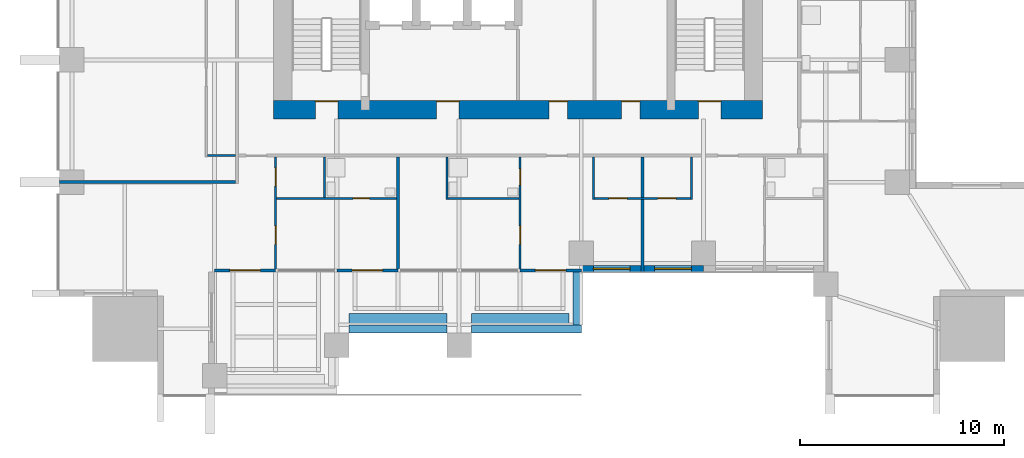
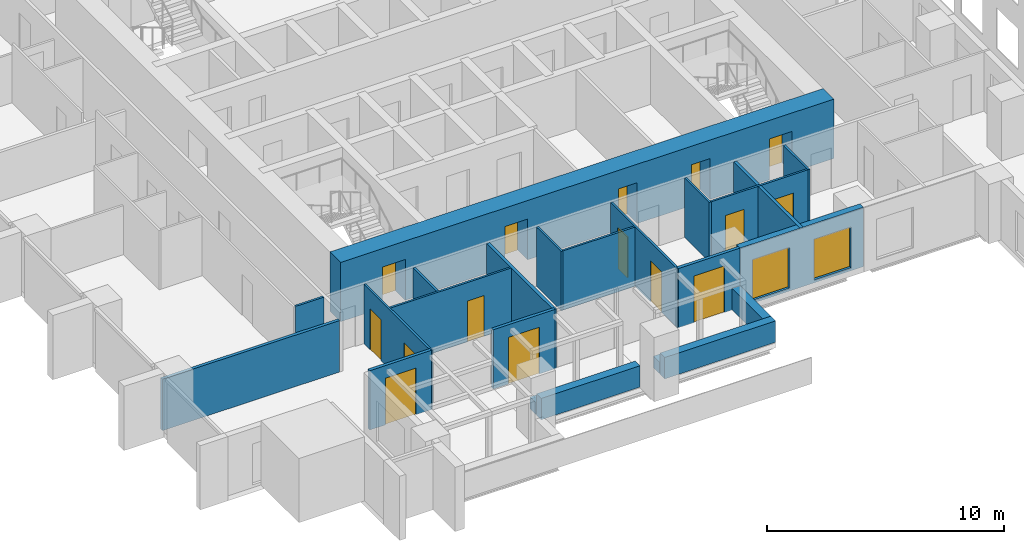
# One storey, part 7 of 15: 23 walls, 15 doors, 2 windows, 17 openings.
"""IFC4 building model written with IfcOpenShell, lengths in metres."""

from ifc_helpers import new_model, si_unit, direction, frame, frame_2d, origin, place, context, subcontext, project, spatial, rectangle, extrude, material, layer, layer_set, type_object, element, fill, save


model = new_model("IFC4")

# Units and contexts
model_context = context("Model", 3, precision=1e-05, world=origin(), true_north=direction((0.0, 1.0)))
body_context = subcontext(model_context, "Body", "Model", "MODEL_VIEW")
ifc_project = project(units=[si_unit("LENGTHUNIT", "METRE"), si_unit("AREAUNIT", "SQUARE_METRE"), si_unit("VOLUMEUNIT", "CUBIC_METRE"), si_unit("PLANEANGLEUNIT", "RADIAN"), si_unit("MASSUNIT", "GRAM", prefix="KILO")], contexts=[model_context])

# Site, building, storey
site_placement = place(None, origin())
site = spatial("IfcSite", under=ifc_project, at=site_placement, CompositionType="ELEMENT")
building_placement = place(site_placement, origin())
building = spatial("IfcBuilding", under=site, at=building_placement, Name="Amberfall Residences", CompositionType="ELEMENT")
storey_placement = place(building_placement, frame((0.0, 0.0, 53.199951171875)))
storey = spatial("IfcBuildingStorey", under=building, at=storey_placement, Name="L14", CompositionType="ELEMENT", Elevation=53.199951171875)

# Wall, openings, windows
ifc_material_1 = material(Name="Pale stone cladding on insulated backing", Category="masonry")
ifc_layer_1 = layer(ifc_material_1, 0.300048828125)
ifc_layer_set_1 = layer_set([ifc_layer_1], Name="Bronze clad wall 300")
wall_type_1 = type_object("IfcWallType", Name="Bronze clad wall 300", PredefinedType="SOLIDWALL", material=ifc_layer_set_1)
wall_1_placement = place(storey_placement, frame((77.60009765625, 26.14990234375, 0.0), z_axis=(0.0, 0.0, 1.0), x_axis=(1.0, 0.0, 0.0)))
wall_1 = element("IfcWall", 1, at=wall_1_placement, inside=storey, type_object=wall_type_1, Name="Stone wall L14 S", PredefinedType="SOLIDWALL", context=body_context, shape_type="SweptSolid", body=[
    extrude(rectangle(XDim=6.0, YDim=0.300048828125, at=frame_2d((3.0, 0.0))), origin(), (0.0, 0.0, 1.0), 3.050048828125),
])
opening_1_placement = place(wall_1_placement, frame((0.60009765625, 0.0, 0.14990234375)))
opening_1 = element("IfcOpeningElement", 2, at=opening_1_placement, cuts=wall_1, Name="Opening WN6", PredefinedType="OPENING", context=body_context, shape_type="SweptSolid", body=[
    extrude(rectangle(XDim=1.800048828125, YDim=2.10009765625, at=frame_2d((0.89990234375, 1.050048828125))), frame((0.0, 0.159912109375, 0.0), z_axis=(0.0, -1.0, 0.0), x_axis=(1.0, 0.0, 0.0)), (0.0, 0.0, 1.0), 0.320068359375),
])
opening_2_placement = place(wall_1_placement, frame((3.60009765625, 0.0, 0.14990234375)))
opening_2 = element("IfcOpeningElement", 3, at=opening_2_placement, cuts=wall_1, Name="Opening WN6", PredefinedType="OPENING", context=body_context, shape_type="SweptSolid", body=[
    extrude(rectangle(XDim=1.800048828125, YDim=2.10009765625, at=frame_2d((0.89990234375, 1.050048828125))), frame((0.0, 0.159912109375, 0.0), z_axis=(0.0, -1.0, 0.0), x_axis=(1.0, 0.0, 0.0)), (0.0, 0.0, 1.0), 0.320068359375),
])
ifc_material_2 = material(Name="Bronze aluminium framed glazing", Category="aluminium")
window_type = type_object("IfcWindowType", Name="Glazed opening 1800 x 2100 bronze", PartitioningType="DOUBLE_PANEL_VERTICAL", PredefinedType="WINDOW", material=ifc_material_2)
window_1_placement = place(opening_1_placement, origin())
window_1 = element("IfcWindow", 4, at=window_1_placement, inside=storey, type_object=window_type, Name="Window L14 S", OverallHeight=2.10009765625, OverallWidth=1.800048828125, PartitioningType="DOUBLE_PANEL_VERTICAL", PredefinedType="WINDOW", context=body_context, shape_type="SweptSolid", body=[
    extrude(rectangle(XDim=1.800048828125, YDim=2.10009765625, at=frame_2d((0.89990234375, 1.050048828125))), frame((0.0, 0.030029296875, 0.0), z_axis=(0.0, -1.0, 0.0), x_axis=(1.0, 0.0, 0.0)), (0.0, 0.0, 1.0), 0.06005859375),
])
fill(opening_1, window_1)
window_2_placement = place(opening_2_placement, origin())
window_2 = element("IfcWindow", 5, at=window_2_placement, inside=storey, type_object=window_type, Name="Window L14 S", OverallHeight=2.10009765625, OverallWidth=1.800048828125, PartitioningType="DOUBLE_PANEL_VERTICAL", PredefinedType="WINDOW", context=body_context, shape_type="SweptSolid", body=[
    extrude(rectangle(XDim=1.800048828125, YDim=2.10009765625, at=frame_2d((0.89990234375, 1.050048828125))), frame((0.0, 0.030029296875, 0.0), z_axis=(0.0, -1.0, 0.0), x_axis=(1.0, 0.0, 0.0)), (0.0, 0.0, 1.0), 0.06005859375),
])
fill(opening_2, window_2)

# Wall, openings, doors
ifc_material_3 = material(Name="Concrete C80", Category="concrete")
ifc_layer_2 = layer(ifc_material_3, 0.89990234375)
ifc_layer_set_2 = layer_set([ifc_layer_2], Name="Core wall 900 C80")
wall_type_2 = type_object("IfcWallType", Name="Core wall 900 C80", PredefinedType="SHEAR", material=ifc_layer_set_2)
wall_2_placement = place(storey_placement, frame((62.5, 33.949951171875, 0.0), z_axis=(0.0, 0.0, 1.0), x_axis=(1.0, 0.0, 0.0)))
wall_2 = element("IfcWall", 6, at=wall_2_placement, inside=storey, type_object=wall_type_2, Name="Core wall RW1 L14 OS", PredefinedType="SHEAR", context=body_context, shape_type="SweptSolid", body=[
    extrude(rectangle(XDim=24.0, YDim=0.89990234375, at=frame_2d((12.0, 0.0))), origin(), (0.0, 0.0, 1.0), 3.050048828125),
])
opening_3_placement = place(wall_2_placement, frame((2.050048828125, 0.0, 0.0)))
opening_3 = element("IfcOpeningElement", 7, at=opening_3_placement, cuts=wall_2, Name="Opening SD1", PredefinedType="OPENING", context=body_context, shape_type="SweptSolid", body=[
    extrude(rectangle(XDim=1.10009765625, YDim=2.10009765625, at=frame_2d((0.550048828125, 1.050048828125))), frame((0.0, 0.4599609375, 0.0), z_axis=(0.0, -1.0, 0.0), x_axis=(1.0, 0.0, 0.0)), (0.0, 0.0, 1.0), 0.919921875),
])
opening_4_placement = place(wall_2_placement, frame((20.85009765625, 0.0, 0.0)))
opening_4 = element("IfcOpeningElement", 8, at=opening_4_placement, cuts=wall_2, Name="Opening SD1", PredefinedType="OPENING", context=body_context, shape_type="SweptSolid", body=[
    extrude(rectangle(XDim=1.10009765625, YDim=2.10009765625, at=frame_2d((0.550048828125, 1.050048828125))), frame((0.0, 0.4599609375, 0.0), z_axis=(0.0, -1.0, 0.0), x_axis=(1.0, 0.0, 0.0)), (0.0, 0.0, 1.0), 0.919921875),
])
opening_5_placement = place(wall_2_placement, frame((8.0, 0.0, 0.0)))
opening_5 = element("IfcOpeningElement", 9, at=opening_5_placement, cuts=wall_2, Name="Opening FL1", PredefinedType="OPENING", context=body_context, shape_type="SweptSolid", body=[
    extrude(rectangle(XDim=1.10009765625, YDim=2.10009765625, at=frame_2d((0.550048828125, 1.050048828125))), frame((0.0, 0.4599609375, 0.0), z_axis=(0.0, -1.0, 0.0), x_axis=(1.0, 0.0, 0.0)), (0.0, 0.0, 1.0), 0.919921875),
])
opening_6_placement = place(wall_2_placement, frame((13.52490234375, 0.0, 0.0)))
opening_6 = element("IfcOpeningElement", 10, at=opening_6_placement, cuts=wall_2, Name="Opening RD1", PredefinedType="OPENING", context=body_context, shape_type="SweptSolid", body=[
    extrude(rectangle(XDim=0.89990234375, YDim=2.10009765625, at=frame_2d((0.449951171875, 1.050048828125))), frame((0.0, 0.4599609375, 0.0), z_axis=(0.0, -1.0, 0.0), x_axis=(1.0, 0.0, 0.0)), (0.0, 0.0, 1.0), 0.919921875),
])
opening_7_placement = place(wall_2_placement, frame((17.074951171875, 0.0, 0.0)))
opening_7 = element("IfcOpeningElement", 11, at=opening_7_placement, cuts=wall_2, Name="Opening RD1", PredefinedType="OPENING", context=body_context, shape_type="SweptSolid", body=[
    extrude(rectangle(XDim=0.89990234375, YDim=2.10009765625, at=frame_2d((0.449951171875, 1.050048828125))), frame((0.0, 0.4599609375, 0.0), z_axis=(0.0, -1.0, 0.0), x_axis=(1.0, 0.0, 0.0)), (0.0, 0.0, 1.0), 0.919921875),
])
ifc_material_4 = material(Name="Steel fire door set", Category="steel")
door_type_1 = type_object("IfcDoorType", Name="Firefighting lobby door 1100 x 2100", OperationType="SINGLE_SWING_LEFT", PredefinedType="DOOR", material=ifc_material_4)
door_1_placement = place(opening_5_placement, origin())
door_1 = element("IfcDoor", 12, at=door_1_placement, inside=storey, type_object=door_type_1, Name="FL1 L14", OperationType="SINGLE_SWING_LEFT", OverallHeight=2.10009765625, OverallWidth=1.10009765625, PredefinedType="DOOR", context=body_context, shape_type="SweptSolid", body=[
    extrude(rectangle(XDim=1.10009765625, YDim=2.10009765625, at=frame_2d((0.550048828125, 1.050048828125))), frame((0.0, 0.4375, 0.0), z_axis=(0.0, -1.0, 0.0), x_axis=(1.0, 0.0, 0.0)), (0.0, 0.0, 1.0), 0.050048828125),
])
fill(opening_5, door_1)
door_type_2 = type_object("IfcDoorType", Name="Service room door 900 x 2100", OperationType="SINGLE_SWING_LEFT", PredefinedType="DOOR", material=ifc_material_4)
door_2_placement = place(opening_6_placement, origin())
door_2 = element("IfcDoor", 13, at=door_2_placement, inside=storey, type_object=door_type_2, Name="RD1 L14", OperationType="SINGLE_SWING_LEFT", OverallHeight=2.10009765625, OverallWidth=0.89990234375, PredefinedType="DOOR", context=body_context, shape_type="SweptSolid", body=[
    extrude(rectangle(XDim=0.89990234375, YDim=2.10009765625, at=frame_2d((0.449951171875, 1.050048828125))), frame((0.0, 0.4375, 0.0), z_axis=(0.0, -1.0, 0.0), x_axis=(1.0, 0.0, 0.0)), (0.0, 0.0, 1.0), 0.050048828125),
])
fill(opening_6, door_2)
door_3_placement = place(opening_7_placement, origin())
door_3 = element("IfcDoor", 14, at=door_3_placement, inside=storey, type_object=door_type_2, Name="RD1 L14", OperationType="SINGLE_SWING_LEFT", OverallHeight=2.10009765625, OverallWidth=0.89990234375, PredefinedType="DOOR", context=body_context, shape_type="SweptSolid", body=[
    extrude(rectangle(XDim=0.89990234375, YDim=2.10009765625, at=frame_2d((0.449951171875, 1.050048828125))), frame((0.0, 0.4375, 0.0), z_axis=(0.0, -1.0, 0.0), x_axis=(1.0, 0.0, 0.0)), (0.0, 0.0, 1.0), 0.050048828125),
])
fill(opening_7, door_3)
door_type_3 = type_object("IfcDoorType", Name="Stair door 1100 x 2100", OperationType="SINGLE_SWING_LEFT", PredefinedType="DOOR", material=ifc_material_4)
door_4_placement = place(opening_3_placement, origin())
door_4 = element("IfcDoor", 15, at=door_4_placement, inside=storey, type_object=door_type_3, Name="SD1 L14", OperationType="SINGLE_SWING_LEFT", OverallHeight=2.10009765625, OverallWidth=1.10009765625, PredefinedType="DOOR", context=body_context, shape_type="SweptSolid", body=[
    extrude(rectangle(XDim=1.10009765625, YDim=2.10009765625, at=frame_2d((0.550048828125, 1.050048828125))), frame((0.0, 0.4375, 0.0), z_axis=(0.0, -1.0, 0.0), x_axis=(1.0, 0.0, 0.0)), (0.0, 0.0, 1.0), 0.050048828125),
])
fill(opening_3, door_4)
door_5_placement = place(opening_4_placement, origin())
door_5 = element("IfcDoor", 16, at=door_5_placement, inside=storey, type_object=door_type_3, Name="SD1 L14", OperationType="SINGLE_SWING_RIGHT", OverallHeight=2.10009765625, OverallWidth=1.10009765625, PredefinedType="DOOR", context=body_context, shape_type="SweptSolid", body=[
    extrude(rectangle(XDim=1.10009765625, YDim=2.10009765625, at=frame_2d((0.550048828125, 1.050048828125))), frame((0.0, 0.4375, 0.0), z_axis=(0.0, -1.0, 0.0), x_axis=(1.0, 0.0, 0.0)), (0.0, 0.0, 1.0), 0.050048828125),
])
fill(opening_4, door_5)

ifc_material_5 = material(Name="Gypsum board on metal stud")
ifc_layer_3 = layer(ifc_material_5, 0.10009765625)
ifc_layer_set_3 = layer_set([ifc_layer_3], Name="Flat partition 100")
wall_type_3 = type_object("IfcWallType", Name="Flat partition 100", PredefinedType="PARTITIONING", material=ifc_layer_set_3)
wall_3_placement = place(storey_placement, frame((62.60009765625, 31.625, 0.0), z_axis=(0.0, 0.0, 1.0), x_axis=(0.0, -1.0, 0.0)))
wall_3 = element("IfcWall", 17, at=wall_3_placement, inside=storey, type_object=wall_type_3, Name="Partition 004", PredefinedType="PARTITIONING", context=body_context, shape_type="SweptSolid", body=[
    extrude(rectangle(XDim=5.625, YDim=0.10009765625, at=frame_2d((2.8125, 0.0))), origin(), (0.0, 0.0, 1.0), 3.050048828125),
])
opening_8_placement = place(wall_3_placement, frame((0.52490234375, 0.0, 0.0)))
opening_8 = element("IfcOpeningElement", 18, at=opening_8_placement, cuts=wall_3, Name="Opening D41", PredefinedType="OPENING", context=body_context, shape_type="SweptSolid", body=[
    extrude(rectangle(XDim=0.89990234375, YDim=2.10009765625, at=frame_2d((0.449951171875, 1.050048828125))), frame((0.0, 0.06005859375, 0.0), z_axis=(0.0, -1.0, 0.0), x_axis=(1.0, 0.0, 0.0)), (0.0, 0.0, 1.0), 0.1201171875),
])
opening_9_placement = place(wall_3_placement, frame((3.375, 0.0, 0.0)))
opening_9 = element("IfcOpeningElement", 19, at=opening_9_placement, cuts=wall_3, Name="Opening D41", PredefinedType="OPENING", context=body_context, shape_type="SweptSolid", body=[
    extrude(rectangle(XDim=0.89990234375, YDim=2.10009765625, at=frame_2d((0.449951171875, 1.050048828125))), frame((0.0, 0.06005859375, 0.0), z_axis=(0.0, -1.0, 0.0), x_axis=(1.0, 0.0, 0.0)), (0.0, 0.0, 1.0), 0.1201171875),
])
ifc_material_6 = material(Name="Timber", Category="wood")
door_type_4 = type_object("IfcDoorType", Name="Internal door 900 x 2100", OperationType="SINGLE_SWING_LEFT", PredefinedType="DOOR", material=ifc_material_6)
door_6_placement = place(opening_8_placement, origin())
door_6 = element("IfcDoor", 20, at=door_6_placement, inside=storey, type_object=door_type_4, Name="Door 1401 kitchen", OperationType="SINGLE_SWING_LEFT", OverallHeight=2.10009765625, OverallWidth=0.89990234375, PredefinedType="DOOR", context=body_context, shape_type="SweptSolid", body=[
    extrude(rectangle(XDim=0.89990234375, YDim=2.10009765625, at=frame_2d((0.449951171875, 1.050048828125))), frame((0.0, 0.02490234375, 0.0), z_axis=(0.0, -1.0, 0.0), x_axis=(1.0, 0.0, 0.0)), (0.0, 0.0, 1.0), 0.050048828125),
])
fill(opening_8, door_6)
door_7_placement = place(opening_9_placement, origin())
door_7 = element("IfcDoor", 21, at=door_7_placement, inside=storey, type_object=door_type_4, Name="Door 1401 bedroom1", OperationType="SINGLE_SWING_LEFT", OverallHeight=2.10009765625, OverallWidth=0.89990234375, PredefinedType="DOOR", context=body_context, shape_type="SweptSolid", body=[
    extrude(rectangle(XDim=0.89990234375, YDim=2.10009765625, at=frame_2d((0.449951171875, 1.050048828125))), frame((0.0, 0.02490234375, 0.0), z_axis=(0.0, -1.0, 0.0), x_axis=(1.0, 0.0, 0.0)), (0.0, 0.0, 1.0), 0.050048828125),
])
fill(opening_9, door_7)

# Walls
wall_4_placement = place(storey_placement, frame((65.0, 29.64990234375, 0.0), z_axis=(0.0, 0.0, 1.0), x_axis=(0.0, 1.0, 0.0)))
element("IfcWall", 22, at=wall_4_placement, inside=storey, type_object=wall_type_3, Name="Partition 006", PredefinedType="PARTITIONING", context=body_context, shape_type="SweptSolid", body=[
    extrude(rectangle(XDim=1.97509765625, YDim=0.10009765625, at=frame_2d((0.987548828125, 0.0))), origin(), (0.0, 0.0, 1.0), 3.050048828125),
])
wall_5_placement = place(storey_placement, frame((71.0, 29.550048828125, 0.0), z_axis=(0.0, 0.0, 1.0), x_axis=(0.0, 1.0, 0.0)))
element("IfcWall", 23, at=wall_5_placement, inside=storey, type_object=wall_type_3, Name="Partition 007", PredefinedType="PARTITIONING", context=body_context, shape_type="SweptSolid", body=[
    extrude(rectangle(XDim=2.074951171875, YDim=0.10009765625, at=frame_2d((1.03759765625, 0.0))), origin(), (0.0, 0.0, 1.0), 3.050048828125),
])

# Wall, openings, doors
wall_6_placement = place(storey_placement, frame((74.60009765625, 26.0, 0.0), z_axis=(0.0, 0.0, 1.0), x_axis=(0.0, 1.0, 0.0)))
wall_6 = element("IfcWall", 24, at=wall_6_placement, inside=storey, type_object=wall_type_3, Name="Partition 009", PredefinedType="PARTITIONING", context=body_context, shape_type="SweptSolid", body=[
    extrude(rectangle(XDim=5.625, YDim=0.10009765625, at=frame_2d((2.8125, 0.0))), origin(), (0.0, 0.0, 1.0), 3.050048828125),
])
opening_10_placement = place(wall_6_placement, frame((1.35009765625, 0.0, 0.0)))
opening_10 = element("IfcOpeningElement", 25, at=opening_10_placement, cuts=wall_6, Name="Opening D41", PredefinedType="OPENING", context=body_context, shape_type="SweptSolid", body=[
    extrude(rectangle(XDim=0.89990234375, YDim=2.10009765625, at=frame_2d((0.449951171875, 1.050048828125))), frame((0.0, 0.06005859375, 0.0), z_axis=(0.0, -1.0, 0.0), x_axis=(1.0, 0.0, 0.0)), (0.0, 0.0, 1.0), 0.1201171875),
])
opening_11_placement = place(wall_6_placement, frame((4.25, 0.0, 0.0)))
opening_11 = element("IfcOpeningElement", 26, at=opening_11_placement, cuts=wall_6, Name="Opening D42", PredefinedType="OPENING", context=body_context, shape_type="SweptSolid", body=[
    extrude(rectangle(XDim=0.800048828125, YDim=2.10009765625, at=frame_2d((0.39990234375, 1.050048828125))), frame((0.0, 0.06005859375, 0.0), z_axis=(0.0, -1.0, 0.0), x_axis=(1.0, 0.0, 0.0)), (0.0, 0.0, 1.0), 0.1201171875),
])
door_type_5 = type_object("IfcDoorType", Name="Bathroom door 800 x 2100", OperationType="SINGLE_SWING_LEFT", PredefinedType="DOOR", material=ifc_material_6)
door_8_placement = place(opening_11_placement, origin())
door_8 = element("IfcDoor", 27, at=door_8_placement, inside=storey, type_object=door_type_5, Name="Door 1402 bath1", OperationType="SINGLE_SWING_LEFT", OverallHeight=2.10009765625, OverallWidth=0.800048828125, PredefinedType="DOOR", context=body_context, shape_type="SweptSolid", body=[
    extrude(rectangle(XDim=0.800048828125, YDim=2.10009765625, at=frame_2d((0.39990234375, 1.050048828125))), frame((0.0, 0.02490234375, 0.0), z_axis=(0.0, -1.0, 0.0), x_axis=(1.0, 0.0, 0.0)), (0.0, 0.0, 1.0), 0.050048828125),
])
fill(opening_11, door_8)
door_9_placement = place(opening_10_placement, origin())
door_9 = element("IfcDoor", 28, at=door_9_placement, inside=storey, type_object=door_type_4, Name="Door 1402 bedroom1", OperationType="SINGLE_SWING_LEFT", OverallHeight=2.10009765625, OverallWidth=0.89990234375, PredefinedType="DOOR", context=body_context, shape_type="SweptSolid", body=[
    extrude(rectangle(XDim=0.89990234375, YDim=2.10009765625, at=frame_2d((0.449951171875, 1.050048828125))), frame((0.0, 0.02490234375, 0.0), z_axis=(0.0, -1.0, 0.0), x_axis=(1.0, 0.0, 0.0)), (0.0, 0.0, 1.0), 0.050048828125),
])
fill(opening_10, door_9)

# Walls
for number, where, z_axis, x_axis, name in (
    (29, (78.199951171875, 29.550048828125, 0.0), (0.0, 0.0, 1.0), (0.0, 1.0, 0.0), "Partition 011"),
    (30, (83.0, 29.550048828125, 0.0), (0.0, 0.0, 1.0), (0.0, 1.0, 0.0), "Partition 013"),
):
    element("IfcWall", number, at=place(storey_placement, frame(where, z_axis=z_axis, x_axis=x_axis)), inside=storey, type_object=wall_type_3, Name=name, PredefinedType="PARTITIONING", context=body_context, shape_type="SweptSolid", body=[
        extrude(rectangle(XDim=2.074951171875, YDim=0.10009765625, at=frame_2d((1.03759765625, 0.0))), origin(), (0.0, 0.0, 1.0), 3.050048828125),
    ])
wall_7_placement = place(storey_placement, frame((59.25, 31.699951171875, 0.0), z_axis=(0.0, 0.0, 1.0), x_axis=(1.0, 0.0, 0.0)))
element("IfcWall", 31, at=wall_7_placement, inside=storey, type_object=wall_type_3, Name="Partition 036", PredefinedType="PARTITIONING", context=body_context, shape_type="SweptSolid", body=[
    extrude(rectangle(XDim=1.375, YDim=0.10009765625, at=frame_2d((0.6875, 0.0))), origin(), (0.0, 0.0, 1.0), 3.050048828125),
])

# Wall, opening, door
wall_8_placement = place(storey_placement, frame((62.64990234375, 29.60009765625, 0.0), z_axis=(0.0, 0.0, 1.0), x_axis=(1.0, 0.0, 0.0)))
wall_8 = element("IfcWall", 32, at=wall_8_placement, inside=storey, type_object=wall_type_3, Name="Partition 037", PredefinedType="PARTITIONING", context=body_context, shape_type="SweptSolid", body=[
    extrude(rectangle(XDim=5.875, YDim=0.10009765625, at=frame_2d((2.9375, 0.0))), origin(), (0.0, 0.0, 1.0), 3.050048828125),
])
opening_12_placement = place(wall_8_placement, frame((3.75, 0.0, 0.0)))
opening_12 = element("IfcOpeningElement", 33, at=opening_12_placement, cuts=wall_8, Name="Opening D42", PredefinedType="OPENING", context=body_context, shape_type="SweptSolid", body=[
    extrude(rectangle(XDim=0.800048828125, YDim=2.10009765625, at=frame_2d((0.39990234375, 1.050048828125))), frame((0.0, 0.06005859375, 0.0), z_axis=(0.0, -1.0, 0.0), x_axis=(1.0, 0.0, 0.0)), (0.0, 0.0, 1.0), 0.1201171875),
])
door_10_placement = place(opening_12_placement, origin())
door_10 = element("IfcDoor", 34, at=door_10_placement, inside=storey, type_object=door_type_5, Name="Door 1401 bath1", OperationType="SINGLE_SWING_LEFT", OverallHeight=2.10009765625, OverallWidth=0.800048828125, PredefinedType="DOOR", context=body_context, shape_type="SweptSolid", body=[
    extrude(rectangle(XDim=0.800048828125, YDim=2.10009765625, at=frame_2d((0.39990234375, 1.050048828125))), frame((0.0, 0.02490234375, 0.0), z_axis=(0.0, -1.0, 0.0), x_axis=(1.0, 0.0, 0.0)), (0.0, 0.0, 1.0), 0.050048828125),
])
fill(opening_12, door_10)

# Wall
wall_9_placement = place(storey_placement, frame((71.050048828125, 29.60009765625, 0.0), z_axis=(0.0, 0.0, 1.0), x_axis=(1.0, 0.0, 0.0)))
element("IfcWall", 35, at=wall_9_placement, inside=storey, type_object=wall_type_3, Name="Partition 038", PredefinedType="PARTITIONING", context=body_context, shape_type="SweptSolid", body=[
    extrude(rectangle(XDim=3.5, YDim=0.10009765625, at=frame_2d((1.75, 0.0))), origin(), (0.0, 0.0, 1.0), 3.050048828125),
])

# Wall, openings, doors
wall_10_placement = place(storey_placement, frame((78.25, 29.60009765625, 0.0), z_axis=(0.0, 0.0, 1.0), x_axis=(1.0, 0.0, 0.0)))
wall_10 = element("IfcWall", 36, at=wall_10_placement, inside=storey, type_object=wall_type_3, Name="Partition 039", PredefinedType="PARTITIONING", context=body_context, shape_type="SweptSolid", body=[
    extrude(rectangle(XDim=4.699951171875, YDim=0.10009765625, at=frame_2d((2.35009765625, 0.0))), origin(), (0.0, 0.0, 1.0), 3.050048828125),
])
opening_13_placement = place(wall_10_placement, frame((0.699951171875, 0.0, 0.0)))
opening_13 = element("IfcOpeningElement", 37, at=opening_13_placement, cuts=wall_10, Name="Opening D41", PredefinedType="OPENING", context=body_context, shape_type="SweptSolid", body=[
    extrude(rectangle(XDim=0.89990234375, YDim=2.10009765625, at=frame_2d((0.449951171875, 1.050048828125))), frame((0.0, 0.06005859375, 0.0), z_axis=(0.0, -1.0, 0.0), x_axis=(1.0, 0.0, 0.0)), (0.0, 0.0, 1.0), 0.1201171875),
])
opening_14_placement = place(wall_10_placement, frame((3.10009765625, 0.0, 0.0)))
opening_14 = element("IfcOpeningElement", 38, at=opening_14_placement, cuts=wall_10, Name="Opening D41", PredefinedType="OPENING", context=body_context, shape_type="SweptSolid", body=[
    extrude(rectangle(XDim=0.89990234375, YDim=2.10009765625, at=frame_2d((0.449951171875, 1.050048828125))), frame((0.0, 0.06005859375, 0.0), z_axis=(0.0, -1.0, 0.0), x_axis=(1.0, 0.0, 0.0)), (0.0, 0.0, 1.0), 0.1201171875),
])
door_11_placement = place(opening_13_placement, origin())
door_11 = element("IfcDoor", 39, at=door_11_placement, inside=storey, type_object=door_type_4, Name="Door 1402 kitchen", OperationType="SINGLE_SWING_LEFT", OverallHeight=2.10009765625, OverallWidth=0.89990234375, PredefinedType="DOOR", context=body_context, shape_type="SweptSolid", body=[
    extrude(rectangle(XDim=0.89990234375, YDim=2.10009765625, at=frame_2d((0.449951171875, 1.050048828125))), frame((0.0, 0.02490234375, 0.0), z_axis=(0.0, -1.0, 0.0), x_axis=(1.0, 0.0, 0.0)), (0.0, 0.0, 1.0), 0.050048828125),
])
fill(opening_13, door_11)
door_12_placement = place(opening_14_placement, origin())
door_12 = element("IfcDoor", 40, at=door_12_placement, inside=storey, type_object=door_type_4, Name="Door 1403 kitchen", OperationType="SINGLE_SWING_LEFT", OverallHeight=2.10009765625, OverallWidth=0.89990234375, PredefinedType="DOOR", context=body_context, shape_type="SweptSolid", body=[
    extrude(rectangle(XDim=0.89990234375, YDim=2.10009765625, at=frame_2d((0.449951171875, 1.050048828125))), frame((0.0, 0.02490234375, 0.0), z_axis=(0.0, -1.0, 0.0), x_axis=(1.0, 0.0, 0.0)), (0.0, 0.0, 1.0), 0.050048828125),
])
fill(opening_14, door_12)

# Walls
ifc_material_7 = material(Name="Blockwork, plastered", Category="masonry")
ifc_layer_4 = layer(ifc_material_7, 0.14990234375)
ifc_layer_set_4 = layer_set([ifc_layer_4], Name="Flat separating wall 150")
wall_type_4 = type_object("IfcWallType", Name="Flat separating wall 150", PredefinedType="PARTITIONING", material=ifc_layer_set_4)
for number, where, z_axis, x_axis, name in (
    (41, (68.60009765625, 26.0, 0.0), (0.0, 0.0, 1.0), (0.0, 1.0, 0.0), "Separating wall 043"),
    (42, (80.60009765625, 26.0, 0.0), (0.0, 0.0, 1.0), (0.0, 1.0, 0.0), "Separating wall 045"),
):
    element("IfcWall", number, at=place(storey_placement, frame(where, z_axis=z_axis, x_axis=x_axis)), inside=storey, type_object=wall_type_4, Name=name, PredefinedType="PARTITIONING", context=body_context, shape_type="SweptSolid", body=[
        extrude(rectangle(XDim=5.625, YDim=0.14990234375, at=frame_2d((2.8125, 0.0))), origin(), (0.0, 0.0, 1.0), 3.050048828125),
    ])
wall_11_placement = place(storey_placement, frame((52.0, 30.39990234375, 0.0), z_axis=(0.0, 0.0, 1.0), x_axis=(1.0, 0.0, 0.0)))
element("IfcWall", 43, at=wall_11_placement, inside=storey, type_object=wall_type_4, Name="Separating wall 054", PredefinedType="PARTITIONING", context=body_context, shape_type="SweptSolid", body=[
    extrude(rectangle(XDim=8.625, YDim=0.14990234375, at=frame_2d((4.3125, 0.0))), origin(), (0.0, 0.0, 1.0), 2.64697265625),
])
ifc_material_8 = material(Name="Precast concrete C32/40", Category="concrete")
ifc_layer_5 = layer(ifc_material_8, 0.5)
ifc_layer_set_5 = layer_set([ifc_layer_5], Name="Planter wall 500")
wall_type_5 = type_object("IfcWallType", Name="Planter wall 500", PredefinedType="SOLIDWALL", material=ifc_layer_set_5)
for number, where, z_axis, x_axis, name in (
    (44, (66.199951171875, 23.699951171875, 0.030029296875), (0.0, 0.0, 1.0), (1.0, 0.0, 0.0), "Planter L14 S2"),
    (45, (72.199951171875, 23.699951171875, 0.030029296875), (0.0, 0.0, 1.0), (1.0, 0.0, 0.0), "Planter L14 S3"),
):
    element("IfcWall", number, at=place(storey_placement, frame(where, z_axis=z_axis, x_axis=x_axis)), inside=storey, type_object=wall_type_5, Name=name, PredefinedType="SOLIDWALL", context=body_context, shape_type="SweptSolid", body=[
        extrude(rectangle(XDim=4.800048828125, YDim=0.5, at=frame_2d((2.39990234375, 0.0))), origin(), (0.0, 0.0, 1.0), 0.60009765625),
    ])

# Wall, opening, door
ifc_layer_6 = layer(ifc_material_1, 0.14990234375)
ifc_layer_set_6 = layer_set([ifc_layer_6], Name="Terrace door infill wall 150")
wall_type_6 = type_object("IfcWallType", Name="Terrace door infill wall 150", PredefinedType="SOLIDWALL", material=ifc_layer_set_6)
wall_12_placement = place(storey_placement, frame((59.60009765625, 26.074951171875, 0.0), z_axis=(0.0, 0.0, 1.0), x_axis=(1.0, 0.0, 0.0)))
wall_12 = element("IfcWall", 46, at=wall_12_placement, inside=storey, type_object=wall_type_6, Name="Terrace door wall L14 S1", PredefinedType="SOLIDWALL", context=body_context, shape_type="SweptSolid", body=[
    extrude(rectangle(XDim=3.0, YDim=0.14990234375, at=frame_2d((1.5, 0.0))), origin(), (0.0, 0.0, 1.0), 3.050048828125),
])
opening_15_placement = place(wall_12_placement, frame((0.75, 0.0, 0.0)))
opening_15 = element("IfcOpeningElement", 47, at=opening_15_placement, cuts=wall_12, Name="Opening TD2", PredefinedType="OPENING", context=body_context, shape_type="SweptSolid", body=[
    extrude(rectangle(XDim=1.5, YDim=2.39990234375, at=frame_2d((0.75, 1.199951171875))), frame((0.0, 0.0849609375, 0.0), z_axis=(0.0, -1.0, 0.0), x_axis=(1.0, 0.0, 0.0)), (0.0, 0.0, 1.0), 0.169921875),
])
ifc_material_9 = material(Name="Bronze aluminium framed glazed door", Category="aluminium")
door_type_6 = type_object("IfcDoorType", Name="Terrace sliding door 1500 x 2400", OperationType="DOUBLE_DOOR_SLIDING", PredefinedType="DOOR", material=ifc_material_9)
door_13_placement = place(opening_15_placement, origin())
door_13 = element("IfcDoor", 48, at=door_13_placement, inside=storey, type_object=door_type_6, Name="Terrace door TD2", OperationType="DOUBLE_DOOR_SLIDING", OverallHeight=2.39990234375, OverallWidth=1.5, PredefinedType="DOOR", context=body_context, shape_type="SweptSolid", body=[
    extrude(rectangle(XDim=1.5, YDim=2.39990234375, at=frame_2d((0.75, 1.199951171875))), frame((0.0, 0.02490234375, 0.0), z_axis=(0.0, -1.0, 0.0), x_axis=(1.0, 0.0, 0.0)), (0.0, 0.0, 1.0), 0.050048828125),
])
fill(opening_15, door_13)

wall_13_placement = place(storey_placement, frame((65.60009765625, 26.074951171875, 0.0), z_axis=(0.0, 0.0, 1.0), x_axis=(1.0, 0.0, 0.0)))
wall_13 = element("IfcWall", 49, at=wall_13_placement, inside=storey, type_object=wall_type_6, Name="Terrace door wall L14 S2", PredefinedType="SOLIDWALL", context=body_context, shape_type="SweptSolid", body=[
    extrude(rectangle(XDim=3.0, YDim=0.14990234375, at=frame_2d((1.5, 0.0))), origin(), (0.0, 0.0, 1.0), 3.050048828125),
])
opening_16_placement = place(wall_13_placement, frame((0.75, 0.0, 0.0)))
opening_16 = element("IfcOpeningElement", 50, at=opening_16_placement, cuts=wall_13, Name="Opening TD2", PredefinedType="OPENING", context=body_context, shape_type="SweptSolid", body=[
    extrude(rectangle(XDim=1.5, YDim=2.39990234375, at=frame_2d((0.75, 1.199951171875))), frame((0.0, 0.0849609375, 0.0), z_axis=(0.0, -1.0, 0.0), x_axis=(1.0, 0.0, 0.0)), (0.0, 0.0, 1.0), 0.169921875),
])
door_14_placement = place(opening_16_placement, origin())
door_14 = element("IfcDoor", 51, at=door_14_placement, inside=storey, type_object=door_type_6, Name="Terrace door TD2", OperationType="DOUBLE_DOOR_SLIDING", OverallHeight=2.39990234375, OverallWidth=1.5, PredefinedType="DOOR", context=body_context, shape_type="SweptSolid", body=[
    extrude(rectangle(XDim=1.5, YDim=2.39990234375, at=frame_2d((0.75, 1.199951171875))), frame((0.0, 0.02490234375, 0.0), z_axis=(0.0, -1.0, 0.0), x_axis=(1.0, 0.0, 0.0)), (0.0, 0.0, 1.0), 0.050048828125),
])
fill(opening_16, door_14)

wall_14_placement = place(storey_placement, frame((74.60009765625, 26.074951171875, 0.0), z_axis=(0.0, 0.0, 1.0), x_axis=(1.0, 0.0, 0.0)))
wall_14 = element("IfcWall", 52, at=wall_14_placement, inside=storey, type_object=wall_type_6, Name="Terrace door wall L14 S3", PredefinedType="SOLIDWALL", context=body_context, shape_type="SweptSolid", body=[
    extrude(rectangle(XDim=3.0, YDim=0.14990234375, at=frame_2d((1.5, 0.0))), origin(), (0.0, 0.0, 1.0), 3.050048828125),
])
opening_17_placement = place(wall_14_placement, frame((0.75, 0.0, 0.0)))
opening_17 = element("IfcOpeningElement", 53, at=opening_17_placement, cuts=wall_14, Name="Opening TD2", PredefinedType="OPENING", context=body_context, shape_type="SweptSolid", body=[
    extrude(rectangle(XDim=1.5, YDim=2.39990234375, at=frame_2d((0.75, 1.199951171875))), frame((0.0, 0.0849609375, 0.0), z_axis=(0.0, -1.0, 0.0), x_axis=(1.0, 0.0, 0.0)), (0.0, 0.0, 1.0), 0.169921875),
])
door_15_placement = place(opening_17_placement, origin())
door_15 = element("IfcDoor", 54, at=door_15_placement, inside=storey, type_object=door_type_6, Name="Terrace door TD2", OperationType="DOUBLE_DOOR_SLIDING", OverallHeight=2.39990234375, OverallWidth=1.5, PredefinedType="DOOR", context=body_context, shape_type="SweptSolid", body=[
    extrude(rectangle(XDim=1.5, YDim=2.39990234375, at=frame_2d((0.75, 1.199951171875))), frame((0.0, 0.02490234375, 0.0), z_axis=(0.0, -1.0, 0.0), x_axis=(1.0, 0.0, 0.0)), (0.0, 0.0, 1.0), 0.050048828125),
])
fill(opening_17, door_15)

# Walls
ifc_material_10 = material(Name="Pale stone faced Concrete C40", Category="masonry")
ifc_layer_7 = layer(ifc_material_10, 0.39990234375)
ifc_layer_set_7 = layer_set([ifc_layer_7], Name="Terrace parapet wall 400")
wall_type_7 = type_object("IfcWallType", Name="Terrace parapet wall 400", PredefinedType="PARAPET", material=ifc_layer_set_7)
wall_15_placement = place(storey_placement, frame((66.199951171875, 23.199951171875, 0.030029296875), z_axis=(0.0, 0.0, 1.0), x_axis=(1.0, 0.0, 0.0)))
element("IfcWall", 55, at=wall_15_placement, inside=storey, type_object=wall_type_7, Name="Terrace parapet L14 S2", PredefinedType="PARAPET", context=body_context, shape_type="SweptSolid", body=[
    extrude(rectangle(XDim=4.800048828125, YDim=0.39990234375, at=frame_2d((2.39990234375, 0.0))), origin(), (0.0, 0.0, 1.0), 1.10009765625),
])
wall_16_placement = place(storey_placement, frame((72.199951171875, 23.199951171875, 0.030029296875), z_axis=(0.0, 0.0, 1.0), x_axis=(1.0, 0.0, 0.0)))
element("IfcWall", 56, at=wall_16_placement, inside=storey, type_object=wall_type_7, Name="Terrace parapet L14 S3", PredefinedType="PARAPET", context=body_context, shape_type="SweptSolid", body=[
    extrude(rectangle(XDim=5.400146484375, YDim=0.39990234375, at=frame_2d((2.7001953125, 0.0))), origin(), (0.0, 0.0, 1.0), 1.10009765625),
])
wall_17_placement = place(storey_placement, frame((77.39990234375, 23.39990234375, 0.030029296875), z_axis=(0.0, 0.0, 1.0), x_axis=(0.0, 1.0, 0.0)))
element("IfcWall", 57, at=wall_17_placement, inside=storey, type_object=wall_type_7, Name="Terrace parapet L14 S3 return", PredefinedType="PARAPET", context=body_context, shape_type="SweptSolid", body=[
    extrude(rectangle(XDim=2.60009765625, YDim=0.39990234375, at=frame_2d((1.300048828125, 0.0))), origin(), (0.0, 0.0, 1.0), 1.10009765625),
])

save(model, "model.ifc")
